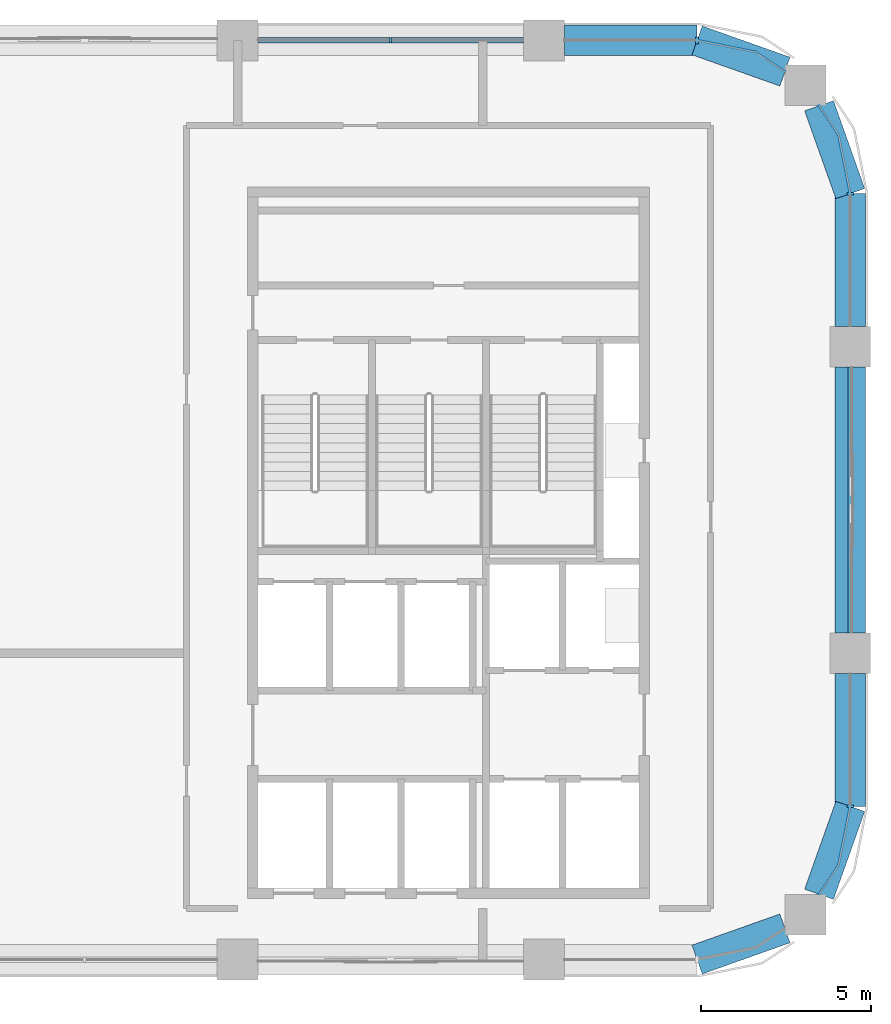
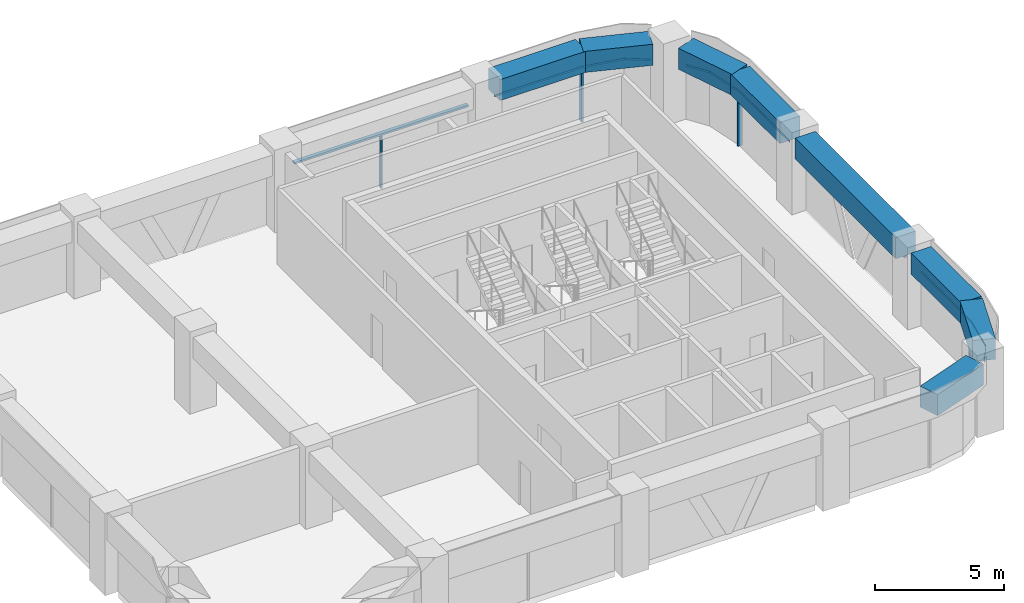
# One storey, part 4 of 9: 9 members, 8 beams, 5 elements without a shape of their own.
"""IFC4 building model written with IfcOpenShell, lengths in metres."""

import ifcopenshell
import ifcopenshell.guid

model = None  # the IFC model being written
_history = None  # IfcOwnerHistory: only IFC2X3 demands one
_inside = {}  # id of a spatial element -> (the spatial element, [elements in it])
_under = {}  # id of a project, library or spatial element -> (it, [spatial elements below it])
_declared = {}  # id of a project -> (the project, [libraries it declares])
_typed = {}  # id of a type object -> (the type object, [elements of that type])
_made_of = {}  # id of a material, layer set ... -> (it, [elements and type objects made of it])


def new_model(schema):
    """Start an empty IFC model of exactly this schema.

    Asked for "IFC4X3", IfcOpenShell would pick the latest addendum, in which some entities
    have other attributes; the version numbers below select the first issue.
    IFC2X3 requires an IfcOwnerHistory on every rooted entity: one is made here for all.
    """
    global model, _history
    if schema == "IFC4X3":
        model = ifcopenshell.file(schema_version=(4, 3, 0, 0))
    else:
        model = ifcopenshell.file(schema=schema)
    _inside.clear()
    _under.clear()
    _declared.clear()
    _typed.clear()
    _made_of.clear()
    _history = None
    if model.schema == "IFC2X3":
        org = make("IfcOrganization", Name="unknown")
        user = make(
            "IfcPersonAndOrganization",
            ThePerson=make("IfcPerson", FamilyName="unknown"),
            TheOrganization=org,
        )
        app = make(
            "IfcApplication",
            ApplicationDeveloper=org,
            Version="unknown",
            ApplicationFullName="unknown",
            ApplicationIdentifier="unknown",
        )
        _history = make(
            "IfcOwnerHistory",
            OwningUser=user,
            OwningApplication=app,
            ChangeAction="ADDED",
            CreationDate=0,
        )
    return model


def make(cls, **values):
    """One entity of the class cls with the attributes given. An attribute that is None is left unset."""
    return model.create_entity(
        cls, **{name: value for name, value in values.items() if value is not None}
    )


def rooted(cls, **values):
    """An entity with a GlobalId (a new one), such as an element, a storey or a relation."""
    return make(cls, GlobalId=ifcopenshell.guid.new(), OwnerHistory=_history, **values)


def si_unit(unit_type, name, prefix=None):
    """IfcSIUnit, for example si_unit("LENGTHUNIT", "METRE", prefix="MILLI")."""
    return make("IfcSIUnit", UnitType=unit_type, Prefix=prefix, Name=name)


def assignment(units):
    """IfcUnitAssignment: the units of a project."""
    return None if units is None else make("IfcUnitAssignment", Units=units)


def point(xyz):
    """IfcCartesianPoint."""
    return None if xyz is None else make("IfcCartesianPoint", Coordinates=xyz)


def direction(xyz):
    """IfcDirection."""
    return None if xyz is None else make("IfcDirection", DirectionRatios=xyz)


def frame(location, z_axis=None, x_axis=None):
    """IfcAxis2Placement3D, a coordinate frame: its origin and axes. An axis left out is left unset."""
    return make(
        "IfcAxis2Placement3D",
        Location=point(location),
        Axis=direction(z_axis),
        RefDirection=direction(x_axis),
    )


def frame_2d(location, x_axis=None):
    """IfcAxis2Placement2D, a coordinate frame in the plane: its origin and x axis."""
    return make(
        "IfcAxis2Placement2D", Location=point(location), RefDirection=direction(x_axis)
    )


def origin():
    """The frame at (0, 0, 0) with its axes left unset."""
    return frame((0.0, 0.0, 0.0))


def origin_2d():
    """The frame at (0, 0) in the plane with its x axis left unset."""
    return frame_2d((0.0, 0.0))


def place(relative_to, where):
    """IfcLocalPlacement: puts the frame where relative to a parent placement (None: the world)."""
    return make(
        "IfcLocalPlacement", PlacementRelTo=relative_to, RelativePlacement=where
    )


def context(
    kind, dimensions, precision=None, world=None, true_north=None, identifier=None
):
    """IfcGeometricRepresentationContext, for example the 3D "Model" context."""
    return make(
        "IfcGeometricRepresentationContext",
        ContextIdentifier=identifier,
        ContextType=kind,
        CoordinateSpaceDimension=dimensions,
        Precision=precision,
        WorldCoordinateSystem=world,
        TrueNorth=true_north,
    )


def subcontext(parent, identifier, kind, view, scale=None):
    """IfcGeometricRepresentationSubContext, for example "Body" below "Model"."""
    return make(
        "IfcGeometricRepresentationSubContext",
        ContextIdentifier=identifier,
        ContextType=kind,
        ParentContext=parent,
        TargetScale=scale,
        TargetView=view,
    )


def project(units=None, contexts=None):
    """IfcProject with its units and contexts."""
    return rooted(
        "IfcProject",
        Name="project",
        RepresentationContexts=contexts,
        UnitsInContext=assignment(units),
    )


def spatial(cls, under=None, at=None, **own):
    """A site, building, storey or space (cls), placed at a placement, below another one or the project."""
    s = rooted(cls, ObjectPlacement=at, **own)
    if under is not None:
        _under.setdefault(under.id(), (under, []))[1].append(s)
    return s


def polyline(points):
    """IfcPolyline through the points."""
    return make("IfcPolyline", Points=[point(p) for p in points])


def profile(cls, at=None, kind="AREA", **sizes):
    """A parametric profile (cls). Its sizes go by their IFC names, for example OverallWidth=200.0."""
    return make(cls, ProfileType=kind, Position=at, **sizes)


def rectangle(**sizes):
    """IfcRectangleProfileDef."""
    return profile("IfcRectangleProfileDef", **sizes)


def outline(outer, holes=None, kind="AREA"):
    """IfcArbitraryClosedProfileDef: a profile drawn as a closed curve; with holes, ...WithVoids."""
    if holes is None:
        return make("IfcArbitraryClosedProfileDef", ProfileType=kind, OuterCurve=outer)
    return make(
        "IfcArbitraryProfileDefWithVoids",
        ProfileType=kind,
        OuterCurve=outer,
        InnerCurves=holes,
    )


def extrude(swept, where, along, depth):
    """IfcExtrudedAreaSolid: the profile swept, set in the frame where, extruded along a direction by depth."""
    return make(
        "IfcExtrudedAreaSolid",
        SweptArea=swept,
        Position=where,
        ExtrudedDirection=direction(along),
        Depth=depth,
    )


def shape(context_of_items, identifier, shape_type, items):
    """IfcShapeRepresentation: the items that make up one representation, for example the "Body"."""
    return make(
        "IfcShapeRepresentation",
        ContextOfItems=context_of_items,
        RepresentationIdentifier=identifier,
        RepresentationType=shape_type,
        Items=items,
    )


def material(Name=None, Category=None):
    """IfcMaterial."""
    return make("IfcMaterial", Name=Name, Category=Category)


def material_profile(
    of_material, cross_section, Name=None, Category=None, Priority=None
):
    """IfcMaterialProfile: a cross section and its material."""
    return make(
        "IfcMaterialProfile",
        Name=Name,
        Material=of_material,
        Profile=cross_section,
        Priority=Priority,
        Category=Category,
    )


def profile_set(profiles, Name=None, composite=None):
    """IfcMaterialProfileSet."""
    return make(
        "IfcMaterialProfileSet",
        Name=Name,
        MaterialProfiles=profiles,
        CompositeProfile=composite,
    )


def made_of(thing, what):
    """Note that an element or type object is made of a material, layer set ...; save() writes the relation."""
    if what is not None:
        _made_of.setdefault(what.id(), (what, []))[1].append(thing)
    return thing


def type_object(cls, material=None, **own):
    """A type object (cls), such as IfcWallType, which elements share."""
    return made_of(rooted(cls, **own), material)


def element(
    cls,
    number,
    at=None,
    inside=None,
    cuts=None,
    type_object=None,
    material=None,
    context=None,
    identifier="Body",
    shape_type=None,
    held_by="IfcProductDefinitionShape",
    body=None,
    shapes=None,
    **own,
):
    """One element of the class cls, such as IfcWall. Its Tag is "e" and its number.

    at: its placement. inside: the storey or other place that contains it. cuts: it is an
    opening in that element (IfcRelVoidsElement). A single representation is given by context,
    identifier, shape_type and body (its items); several are given by shapes. held_by: the class
    of the entity that holds the representations. save() writes the other relations.
    """
    e = rooted(cls, Tag="e%d" % number, ObjectPlacement=at, **own)
    if body is not None:
        shapes = [shape(context, identifier, shape_type, body)]
    if shapes is not None:
        e.Representation = make(held_by, Representations=shapes)
    if inside is not None:
        _inside.setdefault(inside.id(), (inside, []))[1].append(e)
    if cuts is not None:
        rooted(
            "IfcRelVoidsElement", RelatingBuildingElement=cuts, RelatedOpeningElement=e
        )
    if type_object is not None:
        _typed.setdefault(type_object.id(), (type_object, []))[1].append(e)
    return made_of(e, material)


def aggregate(whole, parts):
    """IfcRelAggregates: a whole, such as a stair, and the parts it consists of."""
    return rooted("IfcRelAggregates", RelatingObject=whole, RelatedObjects=parts)


def save(model, path):
    """Write the relations noted so far, then the file.

    IfcRelAggregates (storeys below a building ...), IfcRelContainedInSpatialStructure (elements
    in a storey), IfcRelDefinesByType, IfcRelAssociatesMaterial and IfcRelDeclares: one each for
    every whole, place, type object, material and project.
    """
    for whole, parts in _under.values():
        aggregate(whole, parts)
    for where, things in _inside.values():
        rooted(
            "IfcRelContainedInSpatialStructure",
            RelatedElements=things,
            RelatingStructure=where,
        )
    for kind, things in _typed.values():
        rooted("IfcRelDefinesByType", RelatedObjects=things, RelatingType=kind)
    for what, things in _made_of.values():
        rooted("IfcRelAssociatesMaterial", RelatedObjects=things, RelatingMaterial=what)
    for by, libraries in _declared.values():
        rooted("IfcRelDeclares", RelatingContext=by, RelatedDefinitions=libraries)
    model.write(path)


model = new_model("IFC4")

# Units and contexts
model_context = context("Model", 3, precision=1e-05, world=origin(), true_north=direction((0.0, 1.0)))
body_context = subcontext(model_context, "Body", "Model", "MODEL_VIEW")
ifc_project = project(units=[si_unit("LENGTHUNIT", "METRE"), si_unit("AREAUNIT", "SQUARE_METRE"), si_unit("VOLUMEUNIT", "CUBIC_METRE"), si_unit("PLANEANGLEUNIT", "RADIAN"), si_unit("MASSUNIT", "GRAM", prefix="KILO")], contexts=[model_context])

# Site, building, storey
site_placement = place(None, origin())
site = spatial("IfcSite", under=ifc_project, at=site_placement, CompositionType="ELEMENT")
building_placement = place(site_placement, origin())
building = spatial("IfcBuilding", under=site, at=building_placement, Name="Tessera Arch", CompositionType="ELEMENT")
storey_placement = place(building_placement, frame((0.0, 0.0, 309.0)))
storey = spatial("IfcBuildingStorey", under=building, at=storey_placement, Name="L74", CompositionType="ELEMENT", Elevation=309.0)

# Curtain wall, members
ifc_material_1 = material(Name="CW1 curtain wall")
curtain_wall_type_1 = type_object("IfcCurtainWallType", Name="CW1 curtain wall", PredefinedType="NOTDEFINED", material=ifc_material_1)
curtain_wall_1_placement = place(storey_placement, origin())
curtain_wall_1 = element("IfcCurtainWall", 1, at=curtain_wall_1_placement, inside=storey, type_object=curtain_wall_type_1, Name="CW1 curtain wall N54.18/1 L74", PredefinedType="NOTDEFINED")
ifc_material_2 = material(Name="Anodised aluminium pale metal", Category="aluminium")
ifc_material_profile_1 = material_profile(ifc_material_2, rectangle(XDim=0.159912109375, YDim=0.06005859375, at=origin_2d()), Name="AL 60x160")
ifc_profile_set_1 = profile_set([ifc_material_profile_1], Name="Anodised aluminium pale metal")
member_type_1 = type_object("IfcMemberType", Name="CW1 mullion", PredefinedType="MULLION", material=ifc_profile_set_1)
member_1_placement = place(storey_placement, frame((40.5, 54.0, 0.0), z_axis=(0.0, 0.0, 1.0), x_axis=(0.0, -1.0, 0.0)))
member_1 = element("IfcMember", 2, at=member_1_placement, type_object=member_type_1, Name="CW1 mullion N54.18/1 1", PredefinedType="MULLION", context=body_context, shape_type="SweptSolid", body=[
    extrude(rectangle(XDim=0.159912109375, YDim=0.06005859375, at=origin_2d()), origin(), (0.0, 0.0, 1.0), 2.5),
])
ifc_material_3 = material(Name="Anodised aluminium pale metal", Category="aluminium")
ifc_material_profile_2 = material_profile(ifc_material_3, rectangle(XDim=0.159912109375, YDim=0.10009765625, at=origin_2d()), Name="AL 160x100")
ifc_profile_set_2 = profile_set([ifc_material_profile_2], Name="Anodised aluminium pale metal")
member_type_2 = type_object("IfcMemberType", Name="CW1 transom", PredefinedType="USERDEFINED", material=ifc_profile_set_2)
member_2_placement = place(storey_placement, frame((44.39990234375, 54.0, 2.550048828125), z_axis=(-1.0, 0.0, 0.0), x_axis=(0.0, -1.0, 0.0)))
member_2 = element("IfcMember", 3, at=member_2_placement, type_object=member_type_2, Name="CW1 transom N54.18/1 1.1", ObjectType="TRANSOM", PredefinedType="USERDEFINED", context=body_context, shape_type="SweptSolid", body=[
    extrude(rectangle(XDim=0.159912109375, YDim=0.10009765625, at=origin_2d()), origin(), (0.0, 0.0, 1.0), 7.7998046875),
])
aggregate(curtain_wall_1, [member_1, member_2])

# Curtain wall, member
ifc_material_4 = material(Name="CW2 curtain wall")
curtain_wall_type_2 = type_object("IfcCurtainWallType", Name="CW2 curtain wall", PredefinedType="NOTDEFINED", material=ifc_material_4)
curtain_wall_2_placement = place(storey_placement, origin())
curtain_wall_2 = element("IfcCurtainWall", 4, at=curtain_wall_2_placement, inside=storey, type_object=curtain_wall_type_2, Name="CW2 curtain wall E54.27/1 L74", PredefinedType="NOTDEFINED")
ifc_material_5 = material(Name="Anodised aluminium pale metal", Category="aluminium")
ifc_material_profile_3 = material_profile(ifc_material_5, rectangle(XDim=0.199951171875, YDim=0.080078125, at=origin_2d()), Name="AL 80x200")
ifc_profile_set_3 = profile_set([ifc_material_profile_3], Name="Anodised aluminium pale metal")
member_type_3 = type_object("IfcMemberType", Name="CW2 mullion", PredefinedType="MULLION", material=ifc_profile_set_3)
member_3_placement = place(storey_placement, frame((54.0, 49.5, 0.0), z_axis=(0.0, 0.0, 1.0), x_axis=(-1.0, 0.0, 0.0)))
member_3 = element("IfcMember", 5, at=member_3_placement, type_object=member_type_3, Name="CW2 mullion E54.27/1 1", PredefinedType="MULLION", context=body_context, shape_type="SweptSolid", body=[
    extrude(rectangle(XDim=0.199951171875, YDim=0.080078125, at=origin_2d()), origin(), (0.0, 0.0, 1.0), 2.5),
])

curtain_wall_3_placement = place(storey_placement, origin())
curtain_wall_3 = element("IfcCurtainWall", 6, at=curtain_wall_3_placement, inside=storey, type_object=curtain_wall_type_2, Name="CW2 curtain wall N54.18/0 L74", PredefinedType="NOTDEFINED")
member_4_placement = place(storey_placement, frame((49.5, 54.0, 0.0), z_axis=(0.0, 0.0, 1.0), x_axis=(0.0, -1.0, 0.0)))
member_4 = element("IfcMember", 7, at=member_4_placement, type_object=member_type_3, Name="CW2 mullion N54.18/0 1", PredefinedType="MULLION", context=body_context, shape_type="SweptSolid", body=[
    extrude(rectangle(XDim=0.199951171875, YDim=0.080078125, at=origin_2d()), origin(), (0.0, 0.0, 1.0), 2.5),
])

curtain_wall_4_placement = place(storey_placement, origin())
curtain_wall_4 = element("IfcCurtainWall", 8, at=curtain_wall_4_placement, inside=storey, type_object=curtain_wall_type_2, Name="CW2 curtain wall E54.27/2 L74", PredefinedType="NOTDEFINED")
member_5_placement = place(storey_placement, frame((54.0, 31.5, 0.0), z_axis=(0.0, 0.0, 1.0), x_axis=(-1.0, 0.0, 0.0)))
member_5 = element("IfcMember", 9, at=member_5_placement, type_object=member_type_3, Name="CW2 mullion E54.27/2 1", PredefinedType="MULLION", context=body_context, shape_type="SweptSolid", body=[
    extrude(rectangle(XDim=0.199951171875, YDim=0.080078125, at=origin_2d()), origin(), (0.0, 0.0, 1.0), 2.5),
])

# Member
ifc_material_6 = material(Name="Anodised aluminium pale metal", Category="aluminium")
ifc_material_profile_4 = material_profile(ifc_material_6, rectangle(XDim=0.199951171875, YDim=0.10009765625, at=origin_2d()), Name="AL 200x100")
ifc_profile_set_4 = profile_set([ifc_material_profile_4], Name="Anodised aluminium pale metal")
member_type_4 = type_object("IfcMemberType", Name="CW2 transom", PredefinedType="USERDEFINED", material=ifc_profile_set_4)
member_6_placement = place(storey_placement, frame((0.0, 0.0, 2.5)))
member_6 = element("IfcMember", 10, at=member_6_placement, type_object=member_type_4, Name="CW2 transom E54.27/1 1", ObjectType="TRANSOM", PredefinedType="USERDEFINED", context=body_context, shape_type="SweptSolid", body=[
    extrude(outline(polyline([(53.989990234375, 49.4990234375), (53.989990234375, 45.60009765625), (54.010009765625, 45.60009765625), (54.010009765625, 49.5009765625), (53.6669921875, 51.22607421875), (53.09130859375, 52.087646484375), (53.07470703125, 52.076416015625), (53.648193359375, 51.21826171875), (53.989990234375, 49.4990234375)])), origin(), (0.0, 0.0, 1.0), 0.10009765625),
])

aggregate(curtain_wall_2, [member_3, member_6])

member_7_placement = place(storey_placement, frame((0.0, 0.0, 2.5)))
member_7 = element("IfcMember", 11, at=member_7_placement, type_object=member_type_4, Name="CW2 transom N54.18/0 1", ObjectType="TRANSOM", PredefinedType="USERDEFINED", context=body_context, shape_type="SweptSolid", body=[
    extrude(outline(polyline([(51.21826171875, 53.648193359375), (52.076416015625, 53.07470703125), (52.087646484375, 53.09130859375), (51.22607421875, 53.6669921875), (49.5009765625, 54.010009765625), (45.60009765625, 54.010009765625), (45.60009765625, 53.989990234375), (49.4990234375, 53.989990234375), (51.21826171875, 53.648193359375)])), origin(), (0.0, 0.0, 1.0), 0.10009765625),
])

aggregate(curtain_wall_3, [member_4, member_7])

member_8_placement = place(storey_placement, frame((0.0, 0.0, 2.5)))
member_8 = element("IfcMember", 12, at=member_8_placement, type_object=member_type_4, Name="CW2 transom E54.27/2 1", ObjectType="TRANSOM", PredefinedType="USERDEFINED", context=body_context, shape_type="SweptSolid", body=[
    extrude(outline(polyline([(53.648193359375, 29.78173828125), (53.07470703125, 28.923583984375), (53.09130859375, 28.912353515625), (53.6669921875, 29.77392578125), (54.010009765625, 31.4990234375), (54.010009765625, 35.39990234375), (53.989990234375, 35.39990234375), (53.989990234375, 31.5009765625), (53.648193359375, 29.78173828125)])), origin(), (0.0, 0.0, 1.0), 0.10009765625),
])

aggregate(curtain_wall_4, [member_5, member_8])

# Curtain wall, member
ifc_material_7 = material(Name="CW3 curtain wall")
curtain_wall_type_3 = type_object("IfcCurtainWallType", Name="CW3 curtain wall", PredefinedType="NOTDEFINED", material=ifc_material_7)
curtain_wall_5_placement = place(storey_placement, origin())
curtain_wall_5 = element("IfcCurtainWall", 13, at=curtain_wall_5_placement, inside=storey, type_object=curtain_wall_type_3, Name="CW3 curtain wall E54.27/0 L74", PredefinedType="NOTDEFINED")
ifc_material_8 = material(Name="Anodised aluminium pale metal", Category="aluminium")
ifc_material_profile_5 = material_profile(ifc_material_8, rectangle(XDim=0.139892578125, YDim=0.10009765625, at=origin_2d()), Name="AL 140x100")
ifc_profile_set_5 = profile_set([ifc_material_profile_5], Name="Anodised aluminium pale metal")
member_type_5 = type_object("IfcMemberType", Name="CW3 transom", PredefinedType="USERDEFINED", material=ifc_profile_set_5)
member_9_placement = place(storey_placement, frame((54.0, 36.60009765625, 2.550048828125), z_axis=(0.0, 1.0, 0.0), x_axis=(-1.0, 0.0, 0.0)))
member_9 = element("IfcMember", 14, at=member_9_placement, type_object=member_type_5, Name="CW3 transom E54.27/0 1.1", ObjectType="TRANSOM", PredefinedType="USERDEFINED", context=body_context, shape_type="SweptSolid", body=[
    extrude(rectangle(XDim=0.139892578125, YDim=0.10009765625, at=origin_2d()), origin(), (0.0, 0.0, 1.0), 7.7998046875),
])
aggregate(curtain_wall_5, [member_9])

# Beams
ifc_material_9 = material(Name="Concrete C60/75", Category="concrete")
ifc_material_profile_6 = material_profile(ifc_material_9, rectangle(XDim=0.89990234375, YDim=1.0, at=origin_2d()), Name="RC spandrel beam 900 x 1000 Concrete C60/75")
ifc_profile_set_6 = profile_set([ifc_material_profile_6], Name="Concrete C60/75")
beam_type = type_object("IfcBeamType", Name="RC spandrel beam 900 x 1000 Concrete C60/75", PredefinedType="BEAM", material=ifc_profile_set_6)
beam_1_placement = place(storey_placement, frame((54.0, 36.60009765625, 3.10009765625), z_axis=(0.0, 1.0, 0.0), x_axis=(-1.0, 0.0, 0.0)))
element("IfcBeam", 15, at=beam_1_placement, inside=storey, type_object=beam_type, Name="Spandrel beam L74 E54.27/0", PredefinedType="BEAM", context=body_context, shape_type="SweptSolid", body=[
    extrude(rectangle(XDim=0.89990234375, YDim=1.0, at=origin_2d()), origin(), (0.0, 0.0, 1.0), 7.7998046875),
])
beam_2_placement = place(storey_placement, frame((54.0, 45.60009765625, 3.10009765625), z_axis=(0.0, 1.0, 0.0), x_axis=(-1.0, 0.0, 0.0)))
element("IfcBeam", 16, at=beam_2_placement, inside=storey, type_object=beam_type, Name="Spandrel beam L74 E54.27/1.1", PredefinedType="BEAM", context=body_context, shape_type="SweptSolid", body=[
    extrude(rectangle(XDim=0.89990234375, YDim=1.0, at=origin_2d()), origin(), (0.0, 0.0, 1.0), 3.89990234375),
])
for number, where, z_axis, x_axis, name in (
    (17, (54.0, 49.5, 3.10009765625), (-0.334665114373, 0.942337127159, 0.0), (-0.942337127159, -0.334665114373, 0.0), "Spandrel beam L74 E54.27/1.2"),
    (18, (52.08203125, 53.0830078125, 3.10009765625), (-0.942337127159, 0.334665114373, 0.0), (-0.334665114373, -0.942337127159, 0.0), "Spandrel beam L74 N54.18/0.1"),
):
    element("IfcBeam", number, at=place(storey_placement, frame(where, z_axis=z_axis, x_axis=x_axis)), inside=storey, type_object=beam_type, Name=name, PredefinedType="BEAM", context=body_context, shape_type="SweptSolid", body=[
        extrude(rectangle(XDim=0.89990234375, YDim=1.0, at=origin_2d()), origin(), (0.0, 0.0, 1.0), 2.739990234375),
    ])
beam_3_placement = place(storey_placement, frame((49.5, 54.0, 3.10009765625), z_axis=(-1.0, 0.0, 0.0), x_axis=(0.0, -1.0, 0.0)))
element("IfcBeam", 19, at=beam_3_placement, inside=storey, type_object=beam_type, Name="Spandrel beam L74 N54.18/0.2", PredefinedType="BEAM", context=body_context, shape_type="SweptSolid", body=[
    extrude(rectangle(XDim=0.89990234375, YDim=1.0, at=origin_2d()), origin(), (0.0, 0.0, 1.0), 3.89990234375),
])
for number, where, z_axis, x_axis, name in (
    (20, (49.5, 27.0, 3.10009765625), (0.942337127159, 0.334665114373, 0.0), (-0.334665114373, 0.942337127159, 0.0), "Spandrel beam L74 S27.18/3.2"),
    (21, (53.0830078125, 28.91796875, 3.10009765625), (0.334665114373, 0.942337127159, 0.0), (-0.942337127159, 0.334665114373, 0.0), "Spandrel beam L74 E54.27/2.1"),
):
    element("IfcBeam", number, at=place(storey_placement, frame(where, z_axis=z_axis, x_axis=x_axis)), inside=storey, type_object=beam_type, Name=name, PredefinedType="BEAM", context=body_context, shape_type="SweptSolid", body=[
        extrude(rectangle(XDim=0.89990234375, YDim=1.0, at=origin_2d()), origin(), (0.0, 0.0, 1.0), 2.739990234375),
    ])
beam_4_placement = place(storey_placement, frame((54.0, 31.5, 3.10009765625), z_axis=(0.0, 1.0, 0.0), x_axis=(-1.0, 0.0, 0.0)))
element("IfcBeam", 22, at=beam_4_placement, inside=storey, type_object=beam_type, Name="Spandrel beam L74 E54.27/2.2", PredefinedType="BEAM", context=body_context, shape_type="SweptSolid", body=[
    extrude(rectangle(XDim=0.89990234375, YDim=1.0, at=origin_2d()), origin(), (0.0, 0.0, 1.0), 3.89990234375),
])

save(model, "model.ifc")
